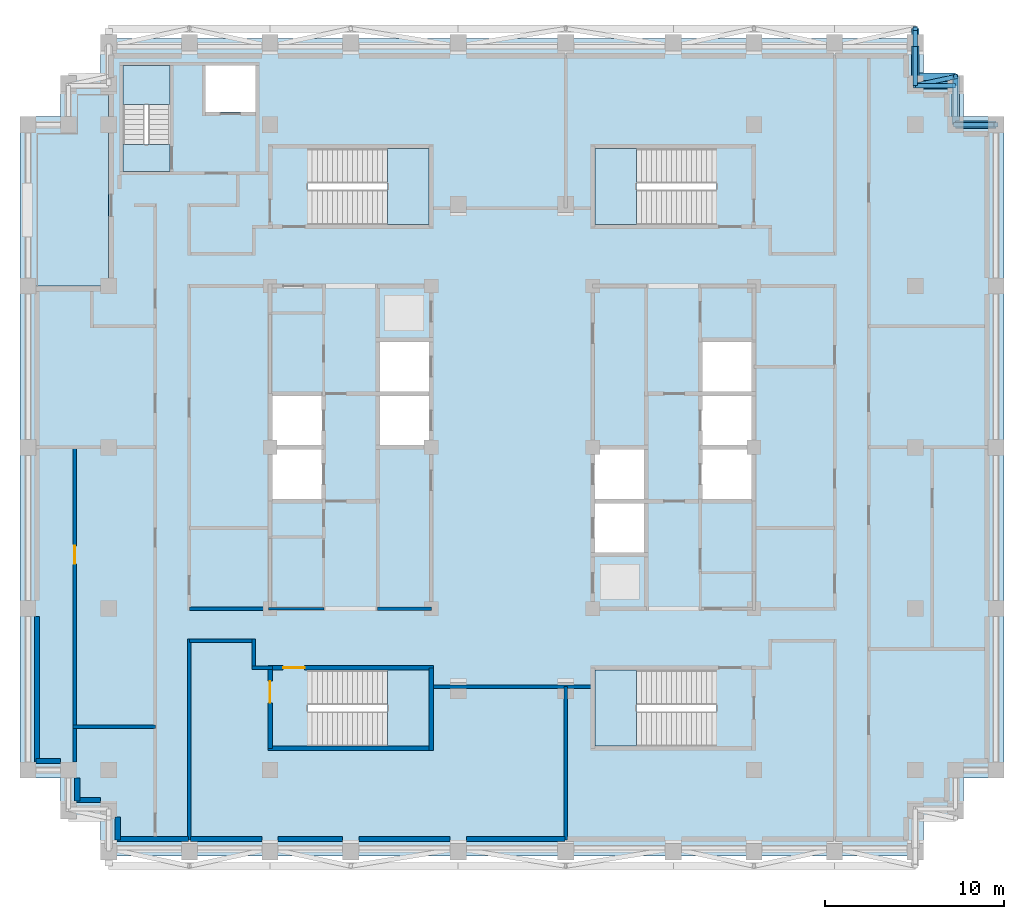
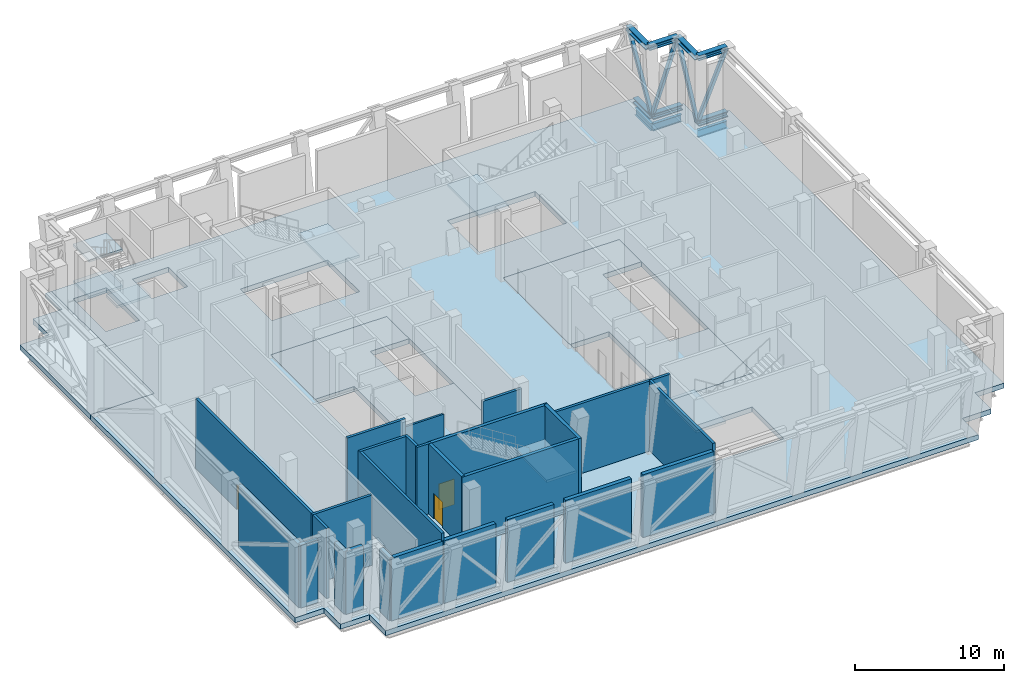
# One storey, part 3 of 11: 25 walls, 11 members, 11 slabs, 3 beams, 3 doors, 3 openings, 5 elements without a shape of their own.
"""IFC4 building model written with IfcOpenShell, lengths in metres."""

from ifc_helpers import new_model, si_unit, direction, frame, frame_2d, origin, origin_2d, place, context, subcontext, project, spatial, polyline, rectangle, hollow_rectangle, i_section, outline, extrude, material, layer, layer_set, material_profile, profile_set, type_object, element, fill, aggregate, save


model = new_model("IFC4")

# Units and contexts
model_context = context("Model", 3, precision=1e-05, world=origin(), true_north=direction((0.0, 1.0)))
body_context = subcontext(model_context, "Body", "Model", "MODEL_VIEW")
ifc_project = project(units=[si_unit("LENGTHUNIT", "METRE"), si_unit("AREAUNIT", "SQUARE_METRE"), si_unit("VOLUMEUNIT", "CUBIC_METRE"), si_unit("PLANEANGLEUNIT", "RADIAN"), si_unit("MASSUNIT", "GRAM", prefix="KILO")], contexts=[model_context])

# Site, building, storey
site_placement = place(None, origin())
site = spatial("IfcSite", under=ifc_project, at=site_placement, CompositionType="ELEMENT")
building_placement = place(site_placement, origin())
building = spatial("IfcBuilding", under=site, at=building_placement, Name="Corbelhall Arena Tower", CompositionType="ELEMENT")
storey_placement = place(building_placement, frame((0.0, 0.0, 294.0)))
storey = spatial("IfcBuildingStorey", under=building, at=storey_placement, Name="L64", CompositionType="ELEMENT", Elevation=294.0)

# Members
ifc_material_1 = material(Name="Steel ASTM A992 Gr50", Category="steel")
ifc_material_profile_1 = material_profile(ifc_material_1, i_section(OverallWidth=0.406494140625, OverallDepth=0.41650390625, WebThickness=0.02978515625, FlangeThickness=0.048095703125, at=origin_2d()))
ifc_profile_set_1 = profile_set([ifc_material_profile_1], Name="Steel ASTM A992 Gr50")
member_type_1 = type_object("IfcMemberType", Name="ST-CHORD-W14x257", PredefinedType="CHORD", material=ifc_profile_set_1)
member_1_placement = place(storey_placement, frame((22.5, 22.38818359375, 0.208251953125), z_axis=(0.0, -1.0, 0.0), x_axis=(1.0, 0.0, 0.0)))
element("IfcMember", 1, at=member_1_placement, inside=storey, type_object=member_type_1, Name="Truss chord BC 10", PredefinedType="CHORD", context=body_context, shape_type="SweptSolid", body=[
    extrude(i_section(OverallWidth=0.406494140625, OverallDepth=0.41650390625, WebThickness=0.02978515625, FlangeThickness=0.048095703125, at=origin_2d()), origin(), (0.0, 0.0, 1.0), 2.194091796875),
])
member_2_placement = place(storey_placement, frame((22.5, 23.36181640625, 5.53173828125), z_axis=(0.0, -1.0, 0.0), x_axis=(1.0, 0.0, 0.0)))
element("IfcMember", 2, at=member_2_placement, inside=storey, type_object=member_type_1, Name="Truss chord TC 10", PredefinedType="CHORD", context=body_context, shape_type="SweptSolid", body=[
    extrude(i_section(OverallWidth=0.406494140625, OverallDepth=0.41650390625, WebThickness=0.02978515625, FlangeThickness=0.048095703125, at=origin_2d()), origin(), (0.0, 0.0, 1.0), 2.680908203125),
])
for number, where, z_axis, x_axis, name in (
    (3, (22.5, 20.194091796875, 0.208251953125), (1.0, 0.0, 0.0), (0.0, 1.0, 0.0), "Truss chord BC 31"),
    (4, (22.5, 20.680908203125, 5.53173828125), (1.0, 0.0, 0.0), (0.0, 1.0, 0.0), "Truss chord TC 31"),
):
    element("IfcMember", number, at=place(storey_placement, frame(where, z_axis=z_axis, x_axis=x_axis)), inside=storey, type_object=member_type_1, Name=name, PredefinedType="CHORD", context=body_context, shape_type="SweptSolid", body=[
        extrude(i_section(OverallWidth=0.406494140625, OverallDepth=0.41650390625, WebThickness=0.02978515625, FlangeThickness=0.048095703125, at=origin_2d()), origin(), (0.0, 0.0, 1.0), 2.25),
    ])
member_3_placement = place(storey_placement, frame((24.75, 20.680908203125, 5.53173828125), z_axis=(0.0, -1.0, 0.0), x_axis=(1.0, 0.0, 0.0)))
element("IfcMember", 5, at=member_3_placement, inside=storey, type_object=member_type_1, Name="Truss chord TC 32", PredefinedType="CHORD", context=body_context, shape_type="SweptSolid", body=[
    extrude(i_section(OverallWidth=0.406494140625, OverallDepth=0.41650390625, WebThickness=0.02978515625, FlangeThickness=0.048095703125, at=origin_2d()), origin(), (0.0, 0.0, 1.0), 2.680908203125),
])
for number, where, z_axis, x_axis, name in (
    (6, (24.75, 18.0, 0.208251953125), (1.0, 0.0, 0.0), (0.0, 1.0, 0.0), "Truss chord BC 33"),
    (7, (24.75, 18.0, 5.53173828125), (1.0, 0.0, 0.0), (0.0, 1.0, 0.0), "Truss chord TC 33"),
):
    element("IfcMember", number, at=place(storey_placement, frame(where, z_axis=z_axis, x_axis=x_axis)), inside=storey, type_object=member_type_1, Name=name, PredefinedType="CHORD", context=body_context, shape_type="SweptSolid", body=[
        extrude(i_section(OverallWidth=0.406494140625, OverallDepth=0.41650390625, WebThickness=0.02978515625, FlangeThickness=0.048095703125, at=origin_2d()), origin(), (0.0, 0.0, 1.0), 2.25),
    ])

# Beams
ifc_material_profile_2 = material_profile(ifc_material_1, i_section(OverallWidth=0.227783203125, OverallDepth=0.60205078125, WebThickness=0.010498046875, FlangeThickness=0.014892578125, at=origin_2d()))
ifc_profile_set_2 = profile_set([ifc_material_profile_2], Name="Steel ASTM A992 Gr50")
beam_type = type_object("IfcBeamType", Name="ST-SPANDREL-W24x68", PredefinedType="SPANDREL", material=ifc_profile_set_2)
beam_placement = place(storey_placement, frame((22.5, 22.35009765625, -0.7109375), z_axis=(0.0, -1.0, 0.0), x_axis=(1.0, 0.0, 0.0)))
element("IfcBeam", 8, at=beam_placement, inside=storey, type_object=beam_type, Name="Beam SP 10", PredefinedType="SPANDREL", context=body_context, shape_type="SweptSolid", body=[
    extrude(i_section(OverallWidth=0.227783203125, OverallDepth=0.60205078125, WebThickness=0.010498046875, FlangeThickness=0.014892578125, at=origin_2d()), origin(), (0.0, 0.0, 1.0), 2.175048828125),
])
for number, where, z_axis, x_axis, name in (
    (9, (22.5, 20.175048828125, -0.7109375), (1.0, 0.0, 0.0), (0.0, 1.0, 0.0), "Beam SP 31"),
    (10, (24.75, 18.0, -0.7109375), (1.0, 0.0, 0.0), (0.0, 1.0, 0.0), "Beam SP 33"),
):
    element("IfcBeam", number, at=place(storey_placement, frame(where, z_axis=z_axis, x_axis=x_axis)), inside=storey, type_object=beam_type, Name=name, PredefinedType="SPANDREL", context=body_context, shape_type="SweptSolid", body=[
        extrude(i_section(OverallWidth=0.227783203125, OverallDepth=0.60205078125, WebThickness=0.010498046875, FlangeThickness=0.014892578125, at=origin_2d()), origin(), (0.0, 0.0, 1.0), 2.25),
    ])

# Members
ifc_material_2 = material(Name="Steel ASTM A500 Gr C", Category="steel")
ifc_material_profile_3 = material_profile(ifc_material_2, hollow_rectangle(XDim=0.25390625, YDim=0.25390625, WallThickness=0.01171875, at=origin_2d()))
ifc_profile_set_3 = profile_set([ifc_material_profile_3], Name="Steel ASTM A500 Gr C")
member_type_2 = type_object("IfcMemberType", Name="ST-STRUT-HSS10x10x1/2", PredefinedType="STRUT", material=ifc_profile_set_3)
member_4_placement = place(storey_placement, frame((22.5, 20.194091796875, 0.208251953125), z_axis=(0.0, 0.511362601594, 0.859365050308), x_axis=(-1.0, 0.0, 0.0)))
element("IfcMember", 11, at=member_4_placement, inside=storey, type_object=member_type_2, Name="Truss diagonal 10", PredefinedType="STRUT", context=body_context, shape_type="SweptSolid", body=[
    extrude(hollow_rectangle(XDim=0.25390625, YDim=0.25390625, WallThickness=0.01171875, at=origin_2d()), origin(), (0.0, 0.0, 1.0), 6.194580078125),
])
member_5_placement = place(storey_placement, frame((22.5, 20.194091796875, 0.208251953125), z_axis=(0.387936818411, 0.083935114574, 0.917856155104), x_axis=(-0.21146970467, 0.977384552777, 0.0)))
element("IfcMember", 12, at=member_5_placement, inside=storey, type_object=member_type_2, Name="Truss diagonal 31", PredefinedType="STRUT", context=body_context, shape_type="SweptSolid", body=[
    extrude(hollow_rectangle(XDim=0.25390625, YDim=0.25390625, WallThickness=0.01171875, at=origin_2d()), origin(), (0.0, 0.0, 1.0), 5.7998046875),
])
member_6_placement = place(storey_placement, frame((24.75, 18.0, 0.208251953125), z_axis=(0.0, 0.449784047143, 0.893137341586), x_axis=(-1.0, 0.0, 0.0)))
element("IfcMember", 13, at=member_6_placement, inside=storey, type_object=member_type_2, Name="Truss diagonal 32", PredefinedType="STRUT", context=body_context, shape_type="SweptSolid", body=[
    extrude(hollow_rectangle(XDim=0.25390625, YDim=0.25390625, WallThickness=0.01171875, at=origin_2d()), origin(), (0.0, 0.0, 1.0), 5.96044921875),
])
member_7_placement = place(storey_placement, frame((24.75, 18.0, 0.208251953125), z_axis=(0.389310609071, 0.0, 0.921106535459), x_axis=(0.0, 1.0, 0.0)))
element("IfcMember", 14, at=member_7_placement, inside=storey, type_object=member_type_2, Name="Truss diagonal 33", PredefinedType="STRUT", context=body_context, shape_type="SweptSolid", body=[
    extrude(hollow_rectangle(XDim=0.25390625, YDim=0.25390625, WallThickness=0.01171875, at=origin_2d()), origin(), (0.0, 0.0, 1.0), 5.779541015625),
])

# Slabs
ifc_material_3 = material(Name="Concrete C40/50", Category="concrete")
ifc_layer_1 = layer(ifc_material_3, 0.300048828125)
ifc_layer_set_1 = layer_set([ifc_layer_1], Name="IN-SL-CORE")
slab_type_1 = type_object("IfcSlabType", Name="IN-SL-CORE", PredefinedType="FLOOR", material=ifc_layer_set_1)
slab_1_placement = place(storey_placement, frame((0.0, 0.0, -0.409912109375)))
element("IfcSlab", 15, at=slab_1_placement, inside=storey, type_object=slab_type_1, Name="Core floor W", PredefinedType="FLOOR", context=body_context, shape_type="SweptSolid", body=[
    extrude(outline(polyline([(-10.5, -3.0), (-13.5, -3.0), (-13.5, -9.0), (-4.5, -9.0), (-4.5, 0.0), (-7.5, 0.0), (-7.5, 3.0), (-7.5, 6.0), (-4.5, 6.0), (-4.5, 9.0), (-13.5, 9.0), (-13.5, 3.0), (-10.5, 3.0), (-10.5, 0.0), (-10.5, -3.0)])), origin(), (0.0, 0.0, 1.0), 0.409912109375),
])
slab_2_placement = place(storey_placement, frame((0.0, 0.0, -0.409912109375)))
element("IfcSlab", 16, at=slab_2_placement, inside=storey, type_object=slab_type_1, Name="Core floor E", PredefinedType="FLOOR", context=body_context, shape_type="SweptSolid", body=[
    extrude(outline(polyline([(13.5, -3.0), (10.5, -3.0), (10.5, 0.0), (10.5, 3.0), (10.5, 6.0), (13.5, 6.0), (13.5, 9.0), (4.5, 9.0), (4.5, 0.0), (7.5, 0.0), (7.5, -3.0), (7.5, -6.0), (4.5, -6.0), (4.5, -9.0), (13.5, -9.0), (13.5, -3.0)])), origin(), (0.0, 0.0, 1.0), 0.409912109375),
])

# Stair, slab
stair_type = type_object("IfcStairType", Name="IN-ST-TOWER", PredefinedType="HALF_TURN_STAIR", material=ifc_material_3)
stair_1_placement = place(storey_placement, origin())
stair_1 = element("IfcStair", 17, at=stair_1_placement, inside=storey, type_object=stair_type, Name="L64 Exit stair ST1", PredefinedType="HALF_TURN_STAIR")
ifc_layer_2 = layer(ifc_material_3, 0.199951171875)
ifc_layer_set_2 = layer_set([ifc_layer_2], Name="IN-SL-LANDING")
slab_type_2 = type_object("IfcSlabType", Name="IN-SL-LANDING", PredefinedType="LANDING", material=ifc_layer_set_2)
slab_3_placement = place(storey_placement, frame((0.0, 0.0, 2.800048828125)))
slab_3 = element("IfcSlab", 18, at=slab_3_placement, type_object=slab_type_2, Name="ST1 landing 1", PredefinedType="LANDING", context=body_context, shape_type="SweptSolid", body=[
    extrude(outline(polyline([(-6.945068359375, 12.425048828125), (-4.625, 12.425048828125), (-4.625, 16.675048828125), (-6.945068359375, 16.675048828125), (-6.945068359375, 12.425048828125)])), origin(), (0.0, 0.0, 1.0), 0.199951171875),
])
aggregate(stair_1, [slab_3])

stair_2_placement = place(storey_placement, origin())
stair_2 = element("IfcStair", 19, at=stair_2_placement, inside=storey, type_object=stair_type, Name="L64 Exit stair ST2", PredefinedType="HALF_TURN_STAIR")
slab_4_placement = place(storey_placement, frame((0.0, 0.0, 2.800048828125)))
slab_4 = element("IfcSlab", 20, at=slab_4_placement, type_object=slab_type_2, Name="ST2 landing 1", PredefinedType="LANDING", context=body_context, shape_type="SweptSolid", body=[
    extrude(outline(polyline([(-6.945068359375, -16.675048828125), (-4.625, -16.675048828125), (-4.625, -12.425048828125), (-6.945068359375, -12.425048828125), (-6.945068359375, -16.675048828125)])), origin(), (0.0, 0.0, 1.0), 0.199951171875),
])
aggregate(stair_2, [slab_4])

stair_3_placement = place(storey_placement, origin())
stair_3 = element("IfcStair", 21, at=stair_3_placement, inside=storey, type_object=stair_type, Name="L64 Exit stair ST3", PredefinedType="HALF_TURN_STAIR")
slab_5_placement = place(storey_placement, frame((0.0, 0.0, 2.800048828125)))
slab_5 = element("IfcSlab", 22, at=slab_5_placement, type_object=slab_type_2, Name="ST3 landing 1", PredefinedType="LANDING", context=body_context, shape_type="SweptSolid", body=[
    extrude(outline(polyline([(6.945068359375, 16.675048828125), (4.625, 16.675048828125), (4.625, 12.425048828125), (6.945068359375, 12.425048828125), (6.945068359375, 16.675048828125)])), origin(), (0.0, 0.0, 1.0), 0.199951171875),
])
aggregate(stair_3, [slab_5])

stair_4_placement = place(storey_placement, origin())
stair_4 = element("IfcStair", 23, at=stair_4_placement, inside=storey, type_object=stair_type, Name="L64 Exit stair ST4", PredefinedType="HALF_TURN_STAIR")
slab_6_placement = place(storey_placement, frame((0.0, 0.0, 2.800048828125)))
slab_6 = element("IfcSlab", 24, at=slab_6_placement, type_object=slab_type_2, Name="ST4 landing 1", PredefinedType="LANDING", context=body_context, shape_type="SweptSolid", body=[
    extrude(outline(polyline([(6.945068359375, -12.425048828125), (4.625, -12.425048828125), (4.625, -16.675048828125), (6.945068359375, -16.675048828125), (6.945068359375, -12.425048828125)])), origin(), (0.0, 0.0, 1.0), 0.199951171875),
])
aggregate(stair_4, [slab_6])

# Stair, slabs
stair_5_placement = place(storey_placement, origin())
stair_5 = element("IfcStair", 25, at=stair_5_placement, inside=storey, type_object=stair_type, Name="L64 Exit stair ST5", PredefinedType="HALF_TURN_STAIR")
slab_7_placement = place(storey_placement, frame((0.0, 0.0, 1.300048828125)))
slab_7 = element("IfcSlab", 26, at=slab_7_placement, type_object=slab_type_2, Name="ST5 landing 1", PredefinedType="LANDING", context=body_context, shape_type="SweptSolid", body=[
    extrude(outline(polyline([(-19.094970703125, 19.139892578125), (-19.094970703125, 21.300048828125), (-21.695068359375, 21.300048828125), (-21.695068359375, 19.139892578125), (-19.094970703125, 19.139892578125)])), origin(), (0.0, 0.0, 1.0), 0.199951171875),
])
slab_8_placement = place(storey_placement, frame((0.0, 0.0, 2.800048828125)))
slab_8 = element("IfcSlab", 27, at=slab_8_placement, type_object=slab_type_2, Name="ST5 landing 2", PredefinedType="LANDING", context=body_context, shape_type="SweptSolid", body=[
    extrude(outline(polyline([(-19.094970703125, 15.39990234375), (-19.094970703125, 16.89990234375), (-21.695068359375, 16.89990234375), (-21.695068359375, 15.39990234375), (-19.094970703125, 15.39990234375)])), origin(), (0.0, 0.0, 1.0), 0.199951171875),
])
slab_9_placement = place(storey_placement, frame((0.0, 0.0, 4.300048828125)))
slab_9 = element("IfcSlab", 28, at=slab_9_placement, type_object=slab_type_2, Name="ST5 landing 3", PredefinedType="LANDING", context=body_context, shape_type="SweptSolid", body=[
    extrude(outline(polyline([(-19.094970703125, 19.139892578125), (-19.094970703125, 21.300048828125), (-21.695068359375, 21.300048828125), (-21.695068359375, 19.139892578125), (-19.094970703125, 19.139892578125)])), origin(), (0.0, 0.0, 1.0), 0.199951171875),
])
aggregate(stair_5, [slab_7, slab_8, slab_9])

# Slabs
ifc_layer_3 = layer(ifc_material_3, 0.409912109375)
ifc_layer_set_3 = layer_set([ifc_layer_3], Name="ST-SLAB-FLOOR-410")
slab_type_3 = type_object("IfcSlabType", Name="ST-SLAB-FLOOR-410", PredefinedType="FLOOR", material=ifc_layer_set_3)
slab_10_placement = place(storey_placement, frame((0.0, 0.0, -0.409912109375)))
element("IfcSlab", 29, at=slab_10_placement, inside=storey, type_object=slab_type_3, Name="Floor slab L64 1", PredefinedType="FLOOR", context=body_context, shape_type="SweptSolid", body=[
    extrude(outline(polyline([(25.199951171875, -20.625), (25.199951171875, -18.449951171875), (27.449951171875, -18.449951171875), (27.449951171875, 18.449951171875), (25.199951171875, 18.449951171875), (25.199951171875, 20.625), (22.949951171875, 20.625), (22.949951171875, 22.800048828125), (-22.5, 22.800048828125), (-22.5, 9.0), (-27.449951171875, 9.0), (-27.449951171875, -18.449951171875), (-25.199951171875, -18.449951171875), (-25.199951171875, -20.625), (-22.949951171875, -20.625), (-22.949951171875, -22.800048828125), (22.949951171875, -22.800048828125), (22.949951171875, -20.625), (25.199951171875, -20.625)]), holes=[polyline([(-13.5, 9.0), (-13.5, -9.0), (-4.5, -9.0), (-4.5, 9.0), (-13.5, 9.0)]), polyline([(4.5, 9.0), (4.5, -9.0), (13.5, -9.0), (13.5, 9.0), (4.5, 9.0)]), polyline([(-4.625, 16.675048828125), (-11.422119140625, 16.675048828125), (-11.422119140625, 12.425048828125), (-4.625, 12.425048828125), (-4.625, 16.675048828125)]), polyline([(-4.625, -16.675048828125), (-4.625, -12.425048828125), (-11.422119140625, -12.425048828125), (-11.422119140625, -16.675048828125), (-4.625, -16.675048828125)]), polyline([(11.422119140625, 16.675048828125), (4.625, 16.675048828125), (4.625, 12.425048828125), (11.422119140625, 12.425048828125), (11.422119140625, 16.675048828125)]), polyline([(11.422119140625, -16.675048828125), (11.422119140625, -12.425048828125), (4.625, -12.425048828125), (4.625, -16.675048828125), (11.422119140625, -16.675048828125)]), polyline([(-21.695068359375, 21.300048828125), (-21.695068359375, 16.903076171875), (-19.094970703125, 16.903076171875), (-19.094970703125, 21.300048828125), (-21.695068359375, 21.300048828125)]), polyline([(-14.300048828125, 21.300048828125), (-17.10009765625, 21.300048828125), (-17.10009765625, 18.699951171875), (-14.300048828125, 18.699951171875), (-14.300048828125, 21.300048828125)])]), origin(), (0.0, 0.0, 1.0), 0.409912109375),
])
slab_11_placement = place(storey_placement, frame((0.0, 0.0, -0.409912109375)))
element("IfcSlab", 30, at=slab_11_placement, inside=storey, type_object=slab_type_3, Name="Terrace slab T-L64-NW", PredefinedType="FLOOR", context=body_context, shape_type="SweptSolid", body=[
    extrude(outline(polyline([(-22.5, 9.0), (-22.5, 22.800048828125), (-22.949951171875, 22.800048828125), (-22.949951171875, 20.625), (-25.199951171875, 20.625), (-25.199951171875, 18.449951171875), (-27.449951171875, 18.449951171875), (-27.449951171875, 9.0), (-22.5, 9.0)])), origin(), (0.0, 0.0, 1.0), 0.409912109375),
])

# Walls
ifc_material_4 = material(Name="Precast concrete C40/50 with granite facing", Category="masonry")
ifc_layer_4 = layer(ifc_material_4, 0.300048828125)
ifc_layer_set_4 = layer_set([ifc_layer_4], Name="EV-IW1 Infill panel 300")
wall_type_1 = type_object("IfcWallType", Name="EV-IW1 Infill panel 300", PredefinedType="SOLIDWALL", material=ifc_layer_set_4)
wall_1_placement = place(storey_placement, frame((-26.5, -9.449951171875, 0.0), z_axis=(0.0, 0.0, 1.0), x_axis=(0.0, -1.0, 0.0)))
element("IfcWall", 31, at=wall_1_placement, inside=storey, type_object=wall_type_1, Name="Infill panel IW1", PredefinedType="SOLIDWALL", context=body_context, shape_type="SweptSolid", body=[
    extrude(rectangle(XDim=8.10009765625, YDim=0.300048828125, at=frame_2d((4.050048828125, 0.0))), origin(), (0.0, 0.0, 1.0), 5.139892578125),
])
wall_2_placement = place(storey_placement, frame((-26.550048828125, -17.5, 0.0), z_axis=(0.0, 0.0, 1.0), x_axis=(1.0, 0.0, 0.0)))
element("IfcWall", 32, at=wall_2_placement, inside=storey, type_object=wall_type_1, Name="Infill panel IW1", PredefinedType="SOLIDWALL", context=body_context, shape_type="SweptSolid", body=[
    extrude(rectangle(XDim=1.35009765625, YDim=0.300048828125, at=frame_2d((0.675048828125, 0.0))), origin(), (0.0, 0.0, 1.0), 5.139892578125),
])
wall_3_placement = place(storey_placement, frame((-24.25, -18.449951171875, 0.0), z_axis=(0.0, 0.0, 1.0), x_axis=(0.0, -1.0, 0.0)))
element("IfcWall", 33, at=wall_3_placement, inside=storey, type_object=wall_type_1, Name="Infill panel IW1", PredefinedType="SOLIDWALL", context=body_context, shape_type="SweptSolid", body=[
    extrude(rectangle(XDim=1.275146484375, YDim=0.300048828125, at=frame_2d((0.6376953125, 0.0))), origin(), (0.0, 0.0, 1.0), 5.139892578125),
])
wall_4_placement = place(storey_placement, frame((-24.300048828125, -19.675048828125, 0.0), z_axis=(0.0, 0.0, 1.0), x_axis=(1.0, 0.0, 0.0)))
element("IfcWall", 34, at=wall_4_placement, inside=storey, type_object=wall_type_1, Name="Infill panel IW1", PredefinedType="SOLIDWALL", context=body_context, shape_type="SweptSolid", body=[
    extrude(rectangle(XDim=1.35009765625, YDim=0.300048828125, at=frame_2d((0.675048828125, 0.0))), origin(), (0.0, 0.0, 1.0), 5.139892578125),
])
wall_5_placement = place(storey_placement, frame((-22.0, -20.625, 0.0), z_axis=(0.0, 0.0, 1.0), x_axis=(0.0, -1.0, 0.0)))
element("IfcWall", 35, at=wall_5_placement, inside=storey, type_object=wall_type_1, Name="Infill panel IW1", PredefinedType="SOLIDWALL", context=body_context, shape_type="SweptSolid", body=[
    extrude(rectangle(XDim=1.27490234375, YDim=0.300048828125, at=frame_2d((0.637451171875, 0.0))), origin(), (0.0, 0.0, 1.0), 5.139892578125),
])
for number, where, z_axis, x_axis, name in (
    (36, (-22.050048828125, -21.85009765625, 0.0), (0.0, 0.0, 1.0), (1.0, 0.0, 0.0), "Infill panel IW1"),
    (37, (-17.949951171875, -21.85009765625, 0.0), (0.0, 0.0, 1.0), (1.0, 0.0, 0.0), "Infill panel IW1"),
):
    element("IfcWall", number, at=place(storey_placement, frame(where, z_axis=z_axis, x_axis=x_axis)), inside=storey, type_object=wall_type_1, Name=name, PredefinedType="SOLIDWALL", context=body_context, shape_type="SweptSolid", body=[
        extrude(rectangle(XDim=4.0, YDim=0.300048828125, at=frame_2d((2.0, 0.0))), origin(), (0.0, 0.0, 1.0), 5.139892578125),
    ])
wall_6_placement = place(storey_placement, frame((-13.050048828125, -21.85009765625, 0.0), z_axis=(0.0, 0.0, 1.0), x_axis=(1.0, 0.0, 0.0)))
element("IfcWall", 38, at=wall_6_placement, inside=storey, type_object=wall_type_1, Name="Infill panel IW1", PredefinedType="SOLIDWALL", context=body_context, shape_type="SweptSolid", body=[
    extrude(rectangle(XDim=3.60009765625, YDim=0.300048828125, at=frame_2d((1.800048828125, 0.0))), origin(), (0.0, 0.0, 1.0), 5.139892578125),
])
wall_7_placement = place(storey_placement, frame((-8.550048828125, -21.85009765625, 0.0), z_axis=(0.0, 0.0, 1.0), x_axis=(1.0, 0.0, 0.0)))
element("IfcWall", 39, at=wall_7_placement, inside=storey, type_object=wall_type_1, Name="Infill panel IW1", PredefinedType="SOLIDWALL", context=body_context, shape_type="SweptSolid", body=[
    extrude(rectangle(XDim=5.10009765625, YDim=0.300048828125, at=frame_2d((2.550048828125, 0.0))), origin(), (0.0, 0.0, 1.0), 5.139892578125),
])
wall_8_placement = place(storey_placement, frame((-2.550048828125, -21.85009765625, 0.0), z_axis=(0.0, 0.0, 1.0), x_axis=(1.0, 0.0, 0.0)))
element("IfcWall", 40, at=wall_8_placement, inside=storey, type_object=wall_type_1, Name="Infill panel IW1", PredefinedType="SOLIDWALL", context=body_context, shape_type="SweptSolid", body=[
    extrude(rectangle(XDim=5.5, YDim=0.300048828125, at=frame_2d((2.75, 0.0))), origin(), (0.0, 0.0, 1.0), 5.139892578125),
])
ifc_material_5 = material(Name="Gypsum board on steel stud, acoustic", Category="steel")
ifc_layer_5 = layer(ifc_material_5, 0.199951171875)
ifc_layer_set_5 = layer_set([ifc_layer_5], Name="IN-W-DM200")
wall_type_2 = type_object("IfcWallType", Name="IN-W-DM200", PredefinedType="PARTITIONING", material=ifc_layer_set_5)
wall_9_placement = place(storey_placement, frame((-24.5, -15.60009765625, 0.0), z_axis=(0.0, 0.0, 1.0), x_axis=(1.0, 0.0, 0.0)))
element("IfcWall", 41, at=wall_9_placement, inside=storey, type_object=wall_type_2, Name="Partition 001", PredefinedType="PARTITIONING", context=body_context, shape_type="SweptSolid", body=[
    extrude(rectangle(XDim=4.60009765625, YDim=0.199951171875, at=frame_2d((2.300048828125, 0.0))), origin(), (0.0, 0.0, 1.0), 5.739990234375),
])

# Wall, opening, door
wall_10_placement = place(storey_placement, frame((-24.39990234375, -17.550048828125, 0.0), z_axis=(0.0, 0.0, 1.0), x_axis=(0.0, 1.0, 0.0)))
wall_10 = element("IfcWall", 42, at=wall_10_placement, inside=storey, type_object=wall_type_2, Name="Partition 002", PredefinedType="PARTITIONING", context=body_context, shape_type="SweptSolid", body=[
    extrude(rectangle(XDim=17.550048828125, YDim=0.199951171875, at=frame_2d((8.77490234375, 0.0))), origin(), (0.0, 0.0, 1.0), 5.739990234375),
])
opening_1_placement = place(wall_10_placement, frame((11.050048828125, 0.0, 0.0)))
opening_1 = element("IfcOpeningElement", 43, at=opening_1_placement, cuts=wall_10, Name="Opening 29030", PredefinedType="OPENING", context=body_context, shape_type="SweptSolid", body=[
    extrude(rectangle(XDim=1.0, YDim=2.10009765625, at=frame_2d((0.5, 1.050048828125))), frame((0.0, 0.10009765625, 0.0), z_axis=(0.0, -1.0, 0.0), x_axis=(1.0, 0.0, 0.0)), (0.0, 0.0, 1.0), 0.199951171875),
])
ifc_material_6 = material(Name="Steel door set", Category="steel")
door_type_1 = type_object("IfcDoorType", Name="IN-D-SW100", OperationType="NOTDEFINED", PredefinedType="DOOR", material=ifc_material_6)
door_1_placement = place(opening_1_placement, origin())
door_1 = element("IfcDoor", 44, at=door_1_placement, inside=storey, type_object=door_type_1, Name="Door 030", OperationType="SINGLE_SWING_LEFT", OverallHeight=2.10009765625, OverallWidth=1.0, PredefinedType="DOOR", context=body_context, shape_type="SweptSolid", body=[
    extrude(rectangle(XDim=1.0, YDim=2.10009765625, at=frame_2d((0.5, 1.050048828125))), frame((0.0, 0.02490234375, 0.0), z_axis=(0.0, -1.0, 0.0), x_axis=(1.0, 0.0, 0.0)), (0.0, 0.0, 1.0), 0.050048828125),
])
fill(opening_1, door_1)

# Walls
wall_11_placement = place(storey_placement, frame((-18.0, -10.699951171875, 0.0), z_axis=(0.0, 0.0, 1.0), x_axis=(0.0, -1.0, 0.0)))
element("IfcWall", 45, at=wall_11_placement, inside=storey, type_object=wall_type_2, Name="Partition 009", PredefinedType="PARTITIONING", context=body_context, shape_type="SweptSolid", body=[
    extrude(rectangle(XDim=11.199951171875, YDim=0.199951171875, at=frame_2d((5.60009765625, 0.0))), origin(), (0.0, 0.0, 1.0), 5.739990234375),
])
wall_12_placement = place(storey_placement, frame((-18.0, -9.0, 0.0), z_axis=(0.0, 0.0, 1.0), x_axis=(1.0, 0.0, 0.0)))
element("IfcWall", 46, at=wall_12_placement, inside=storey, type_object=wall_type_2, Name="Partition 010", PredefinedType="PARTITIONING", context=body_context, shape_type="SweptSolid", body=[
    extrude(rectangle(XDim=4.5, YDim=0.199951171875, at=frame_2d((2.25, 0.0))), origin(), (0.0, 0.0, 1.0), 5.739990234375),
])
wall_13_placement = place(storey_placement, frame((-14.39990234375, -12.300048828125, 0.0), z_axis=(0.0, 0.0, 1.0), x_axis=(0.0, 1.0, 0.0)))
element("IfcWall", 47, at=wall_13_placement, inside=storey, type_object=wall_type_2, Name="Partition 018", PredefinedType="PARTITIONING", context=body_context, shape_type="SweptSolid", body=[
    extrude(rectangle(XDim=1.60009765625, YDim=0.199951171875, at=frame_2d((0.800048828125, 0.0))), origin(), (0.0, 0.0, 1.0), 5.739990234375),
])
wall_14_placement = place(storey_placement, frame((-14.39990234375, -10.800048828125, 0.0), z_axis=(0.0, 0.0, 1.0), x_axis=(-1.0, 0.0, 0.0)))
element("IfcWall", 48, at=wall_14_placement, inside=storey, type_object=wall_type_2, Name="Partition 019", PredefinedType="PARTITIONING", context=body_context, shape_type="SweptSolid", body=[
    extrude(rectangle(XDim=3.60009765625, YDim=0.199951171875, at=frame_2d((1.800048828125, 0.0))), origin(), (0.0, 0.0, 1.0), 5.739990234375),
])
wall_15_placement = place(storey_placement, frame((-13.375, -12.300048828125, 0.0), z_axis=(0.0, 0.0, 1.0), x_axis=(-1.0, 0.0, 0.0)))
element("IfcWall", 49, at=wall_15_placement, inside=storey, type_object=wall_type_2, Name="Partition 022", PredefinedType="PARTITIONING", context=body_context, shape_type="SweptSolid", body=[
    extrude(rectangle(XDim=1.125, YDim=0.199951171875, at=frame_2d((0.5625, 0.0))), origin(), (0.0, 0.0, 1.0), 5.739990234375),
])
wall_16_placement = place(storey_placement, frame((4.5, -13.35009765625, 0.0), z_axis=(0.0, 0.0, 1.0), x_axis=(-1.0, 0.0, 0.0)))
element("IfcWall", 50, at=wall_16_placement, inside=storey, type_object=wall_type_2, Name="Partition 024", PredefinedType="PARTITIONING", context=body_context, shape_type="SweptSolid", body=[
    extrude(rectangle(XDim=9.0, YDim=0.199951171875, at=frame_2d((4.5, 0.0))), origin(), (0.0, 0.0, 1.0), 5.739990234375),
])
wall_17_placement = place(storey_placement, frame((3.0, -13.35009765625, 0.0), z_axis=(0.0, 0.0, 1.0), x_axis=(0.0, -1.0, 0.0)))
element("IfcWall", 51, at=wall_17_placement, inside=storey, type_object=wall_type_2, Name="Partition 025", PredefinedType="PARTITIONING", context=body_context, shape_type="SweptSolid", body=[
    extrude(rectangle(XDim=8.5498046875, YDim=0.199951171875, at=frame_2d((4.27490234375, 0.0))), origin(), (0.0, 0.0, 1.0), 5.739990234375),
])
ifc_material_7 = material(Name="Concrete block wall", Category="concrete")
ifc_layer_6 = layer(ifc_material_7, 0.199951171875)
ifc_layer_set_6 = layer_set([ifc_layer_6], Name="IN-W-RS200 under beam 678 mm")
wall_type_3 = type_object("IfcWallType", Name="IN-W-RS200 under beam 678 mm", PredefinedType="SOLIDWALL", material=ifc_layer_set_6)
wall_18_placement = place(storey_placement, frame((-4.5, -9.0, 0.0), z_axis=(0.0, 0.0, 1.0), x_axis=(-1.0, 0.0, 0.0)))
element("IfcWall", 52, at=wall_18_placement, inside=storey, type_object=wall_type_3, Name="Partition 051", PredefinedType="SOLIDWALL", context=body_context, shape_type="SweptSolid", body=[
    extrude(rectangle(XDim=3.0, YDim=0.199951171875, at=frame_2d((1.5, 0.0))), origin(), (0.0, 0.0, 1.0), 5.061767578125),
])

# Wall, opening, door
ifc_layer_7 = layer(ifc_material_3, 0.25)
ifc_layer_set_7 = layer_set([ifc_layer_7], Name="IN-W-ST250")
wall_type_4 = type_object("IfcWallType", Name="IN-W-ST250", PredefinedType="SOLIDWALL", material=ifc_layer_set_7)
wall_19_placement = place(storey_placement, frame((-13.5, -16.800048828125, 0.0), z_axis=(0.0, 0.0, 1.0), x_axis=(0.0, 1.0, 0.0)))
wall_19 = element("IfcWall", 53, at=wall_19_placement, inside=storey, type_object=wall_type_4, Name="Shaft wall 084", PredefinedType="SOLIDWALL", context=body_context, shape_type="SweptSolid", body=[
    extrude(rectangle(XDim=4.5, YDim=0.25, at=frame_2d((2.25, 0.0))), origin(), (0.0, 0.0, 1.0), 5.739990234375),
])
opening_2_placement = place(wall_19_placement, frame((2.550048828125, 0.0, 0.0)))
opening_2 = element("IfcOpeningElement", 54, at=opening_2_placement, cuts=wall_19, Name="Opening 29024", PredefinedType="OPENING", context=body_context, shape_type="SweptSolid", body=[
    extrude(rectangle(XDim=1.199951171875, YDim=2.10009765625, at=frame_2d((0.60009765625, 1.050048828125))), frame((0.0, 0.125, 0.0), z_axis=(0.0, -1.0, 0.0), x_axis=(1.0, 0.0, 0.0)), (0.0, 0.0, 1.0), 0.25),
])
door_type_2 = type_object("IfcDoorType", Name="IN-D-ST120", OperationType="NOTDEFINED", PredefinedType="DOOR", material=ifc_material_6)
door_2_placement = place(opening_2_placement, origin())
door_2 = element("IfcDoor", 55, at=door_2_placement, inside=storey, type_object=door_type_2, Name="Door 024", OperationType="SINGLE_SWING_LEFT", OverallHeight=2.10009765625, OverallWidth=1.199951171875, PredefinedType="DOOR", context=body_context, shape_type="SweptSolid", body=[
    extrude(rectangle(XDim=1.199951171875, YDim=2.10009765625, at=frame_2d((0.60009765625, 1.050048828125))), frame((0.0, 0.02490234375, 0.0), z_axis=(0.0, -1.0, 0.0), x_axis=(1.0, 0.0, 0.0)), (0.0, 0.0, 1.0), 0.050048828125),
])
fill(opening_2, door_2)

# Walls
wall_20_placement = place(storey_placement, frame((-4.5, -16.800048828125, 0.0), z_axis=(0.0, 0.0, 1.0), x_axis=(-1.0, 0.0, 0.0)))
element("IfcWall", 56, at=wall_20_placement, inside=storey, type_object=wall_type_4, Name="Shaft wall 086", PredefinedType="SOLIDWALL", context=body_context, shape_type="SweptSolid", body=[
    extrude(rectangle(XDim=9.125, YDim=0.25, at=frame_2d((4.5625, 0.0))), origin(), (0.0, 0.0, 1.0), 5.739990234375),
])
wall_21_placement = place(storey_placement, frame((-4.5, -12.300048828125, 0.0), z_axis=(0.0, 0.0, 1.0), x_axis=(0.0, -1.0, 0.0)))
element("IfcWall", 57, at=wall_21_placement, inside=storey, type_object=wall_type_4, Name="Shaft wall 087", PredefinedType="SOLIDWALL", context=body_context, shape_type="SweptSolid", body=[
    extrude(rectangle(XDim=4.625, YDim=0.25, at=frame_2d((2.3125, 0.0))), origin(), (0.0, 0.0, 1.0), 5.739990234375),
])

# Wall, opening, door
wall_22_placement = place(storey_placement, frame((-4.375, -12.300048828125, 0.0), z_axis=(0.0, 0.0, 1.0), x_axis=(-1.0, 0.0, 0.0)))
wall_22 = element("IfcWall", 58, at=wall_22_placement, inside=storey, type_object=wall_type_4, Name="Shaft wall 089", PredefinedType="SOLIDWALL", context=body_context, shape_type="SweptSolid", body=[
    extrude(rectangle(XDim=9.25, YDim=0.25, at=frame_2d((4.625, 0.0))), origin(), (0.0, 0.0, 1.0), 5.739990234375),
])
opening_3_placement = place(wall_22_placement, frame((7.199951171875, 0.0, 0.0)))
opening_3 = element("IfcOpeningElement", 59, at=opening_3_placement, cuts=wall_22, Name="Opening 29014", PredefinedType="OPENING", context=body_context, shape_type="SweptSolid", body=[
    extrude(rectangle(XDim=1.199951171875, YDim=2.10009765625, at=frame_2d((0.60009765625, 1.050048828125))), frame((0.0, 0.125, 0.0), z_axis=(0.0, -1.0, 0.0), x_axis=(1.0, 0.0, 0.0)), (0.0, 0.0, 1.0), 0.25),
])
door_3_placement = place(opening_3_placement, origin())
door_3 = element("IfcDoor", 60, at=door_3_placement, inside=storey, type_object=door_type_2, Name="Door 014", OperationType="SINGLE_SWING_LEFT", OverallHeight=2.10009765625, OverallWidth=1.199951171875, PredefinedType="DOOR", context=body_context, shape_type="SweptSolid", body=[
    extrude(rectangle(XDim=1.199951171875, YDim=2.10009765625, at=frame_2d((0.60009765625, 1.050048828125))), frame((0.0, 0.02490234375, 0.0), z_axis=(0.0, -1.0, 0.0), x_axis=(1.0, 0.0, 0.0)), (0.0, 0.0, 1.0), 0.050048828125),
])
fill(opening_3, door_3)

# Wall
ifc_material_8 = material(Name="Gypsum board on steel stud, moisture resistant", Category="steel")
ifc_layer_8 = layer(ifc_material_8, 0.14990234375)
ifc_layer_set_8 = layer_set([ifc_layer_8], Name="IN-W-WC150 under beam 678 mm")
wall_type_5 = type_object("IfcWallType", Name="IN-W-WC150 under beam 678 mm", PredefinedType="PARTITIONING", material=ifc_layer_set_8)
wall_23_placement = place(storey_placement, frame((-10.5, -9.0, 0.0), z_axis=(0.0, 0.0, 1.0), x_axis=(-1.0, 0.0, 0.0)))
element("IfcWall", 61, at=wall_23_placement, inside=storey, type_object=wall_type_5, Name="Partition 103", PredefinedType="PARTITIONING", context=body_context, shape_type="SweptSolid", body=[
    extrude(rectangle(XDim=3.074951171875, YDim=0.14990234375, at=frame_2d((1.53759765625, 0.0))), origin(), (0.0, 0.0, 1.0), 5.061767578125),
])

save(model, "model.ifc")
